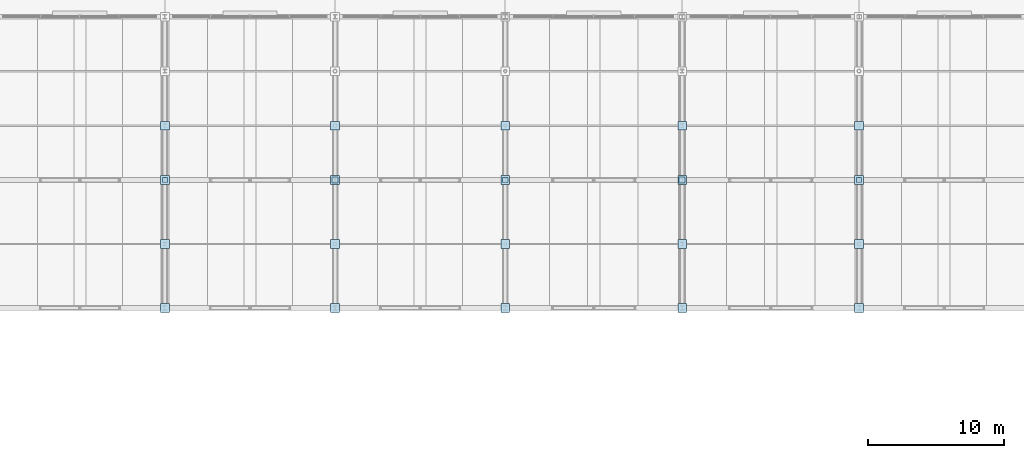
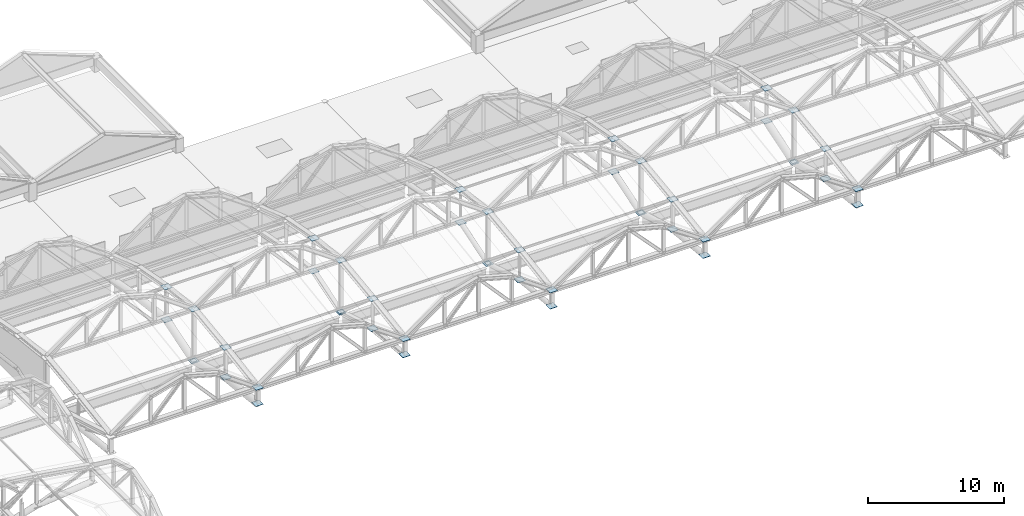
# One storey, part 102 of 117: 45 plates.
"""IFC4 building model written with IfcOpenShell, lengths in metres."""

from ifc_helpers import new_model, si_unit, direction, frame, origin, origin_2d, place, context, subcontext, project, spatial, rectangle, extrude, material, layer, layer_set, type_object, element, save


model = new_model("IFC4")

# Units and contexts
model_context = context("Model", 3, precision=1e-05, world=origin(), true_north=direction((0.0, 1.0)))
body_context = subcontext(model_context, "Body", "Model", "MODEL_VIEW")
ifc_project = project(units=[si_unit("LENGTHUNIT", "METRE"), si_unit("AREAUNIT", "SQUARE_METRE"), si_unit("VOLUMEUNIT", "CUBIC_METRE"), si_unit("PLANEANGLEUNIT", "RADIAN"), si_unit("MASSUNIT", "GRAM", prefix="KILO")], contexts=[model_context])

# Site, building, storey
site_placement = place(None, origin())
site = spatial("IfcSite", under=ifc_project, at=site_placement, CompositionType="ELEMENT")
building_placement = place(site_placement, origin())
building = spatial("IfcBuilding", under=site, at=building_placement, Name="Kazenohara Klinker Stadium", CompositionType="ELEMENT")
storey_placement = place(building_placement, frame((0.0, 0.0, 31.199951171875)))
storey = spatial("IfcBuildingStorey", under=building, at=storey_placement, Name="RF", CompositionType="ELEMENT", Elevation=31.199951171875)

# Plates
ifc_material = material(Name="Steel S355", Category="steel")
ifc_layer_1 = layer(ifc_material, 0.02001953125)
ifc_layer_set_1 = layer_set([ifc_layer_1], Name="Steel S355")
plate_type_1 = type_object("IfcPlateType", Name="PLT-GP01", PredefinedType="USERDEFINED", material=ifc_layer_set_1)
plate_1_placement = place(storey_placement, frame((74.0, 132.0, -0.010009765625), z_axis=(0.0, 0.0, 1.0), x_axis=(1.0, 0.0, 0.0)))
element("IfcPlate", 1, at=plate_1_placement, inside=storey, type_object=plate_type_1, Name="Hollow column end-cap plate GP01 RF 7/M", ObjectType="GUSSET PLATE", PredefinedType="USERDEFINED", context=body_context, shape_type="SweptSolid", body=[
    extrude(rectangle(XDim=0.389892578125, YDim=0.389892578125, at=origin_2d()), origin(), (0.0, 0.0, 1.0), 0.02001953125),
])
plate_2_placement = place(storey_placement, frame((112.0, 132.0, -0.010009765625), z_axis=(0.0, 0.0, 1.0), x_axis=(1.0, 0.0, 0.0)))
element("IfcPlate", 2, at=plate_2_placement, inside=storey, type_object=plate_type_1, Name="Hollow column end-cap plate GP01 RF 10/M", ObjectType="GUSSET PLATE", PredefinedType="USERDEFINED", context=body_context, shape_type="SweptSolid", body=[
    extrude(rectangle(XDim=0.43994140625, YDim=0.43994140625, at=origin_2d()), origin(), (0.0, 0.0, 1.0), 0.02001953125),
])
for number, where, z_axis, x_axis, name in (
    (3, (74.0, 132.0, -0.030029296875), (0.0, 0.0, 1.0), (1.0, 0.0, 0.0), "ROOF TRUSS RT-N02 node gusset plate BN4"),
    (4, (74.0, 132.0, 4.64013671875), (0.0, 0.0, 1.0), (1.0, 0.0, 0.0), "ROOF TRUSS RT-N02 node gusset plate TN4"),
    (5, (86.5, 136.0, 1.239990234375), (0.0, 0.0, 1.0), (1.0, 0.0, 0.0), "ROOF TRUSS RT-N03 node gusset plate BN3"),
    (6, (86.5, 136.0, 4.18994140625), (0.0, 0.0, 1.0), (1.0, 0.0, 0.0), "ROOF TRUSS RT-N03 node gusset plate TN3"),
    (7, (125.0, 122.60009765625, 1.840087890625), (0.0, 0.0, 1.0), (1.0, 0.0, 0.0), "ROOF TRUSS RT-N06 node gusset plate BN6"),
    (8, (125.0, 122.60009765625, 3.2900390625), (0.0, 0.0, 1.0), (1.0, 0.0, 0.0), "ROOF TRUSS RT-N06 node gusset plate TN6"),
):
    element("IfcPlate", number, at=place(storey_placement, frame(where, z_axis=z_axis, x_axis=x_axis)), inside=storey, type_object=plate_type_1, Name=name, ObjectType="GUSSET PLATE", PredefinedType="USERDEFINED", context=body_context, shape_type="SweptSolid", body=[
        extrude(rectangle(XDim=0.639892578125, YDim=0.639892578125, at=origin_2d()), origin(), (0.0, 0.0, 1.0), 0.02001953125),
    ])
ifc_layer_2 = layer(ifc_material, 0.02197265625)
ifc_layer_set_2 = layer_set([ifc_layer_2], Name="Steel S355")
plate_type_2 = type_object("IfcPlateType", Name="PLT-GP02", PredefinedType="USERDEFINED", material=ifc_layer_set_2)
for number, where, z_axis, x_axis, name in (
    (9, (74.0, 127.300048828125, 1.339111328125), (0.0, 0.0, 1.0), (1.0, 0.0, 0.0), "ROOF TRUSS RT-N02 node gusset plate BN5"),
    (10, (74.0, 127.300048828125, 4.0390625), (0.0, 0.0, 1.0), (1.0, 0.0, 0.0), "ROOF TRUSS RT-N02 node gusset plate TN5"),
    (11, (86.5, 132.0, -0.031005859375), (0.0, 0.0, 1.0), (1.0, 0.0, 0.0), "ROOF TRUSS RT-N03 node gusset plate BN4"),
    (12, (86.5, 132.0, 4.63916015625), (0.0, 0.0, 1.0), (1.0, 0.0, 0.0), "ROOF TRUSS RT-N03 node gusset plate TN4"),
    (13, (99.0, 136.0, 1.239013671875), (0.0, 0.0, 1.0), (1.0, 0.0, 0.0), "ROOF TRUSS RT-N04 node gusset plate BN3"),
    (14, (99.0, 136.0, 4.18896484375), (0.0, 0.0, 1.0), (1.0, 0.0, 0.0), "ROOF TRUSS RT-N04 node gusset plate TN3"),
):
    element("IfcPlate", number, at=place(storey_placement, frame(where, z_axis=z_axis, x_axis=x_axis)), inside=storey, type_object=plate_type_2, Name=name, ObjectType="GUSSET PLATE", PredefinedType="USERDEFINED", context=body_context, shape_type="SweptSolid", body=[
        extrude(rectangle(XDim=0.639892578125, YDim=0.639892578125, at=origin_2d()), origin(), (0.0, 0.0, 1.0), 0.02197265625),
    ])
ifc_layer_3 = layer(ifc_material, 0.02392578125)
ifc_layer_set_3 = layer_set([ifc_layer_3], Name="Steel S355")
plate_type_3 = type_object("IfcPlateType", Name="PLT-GP03", PredefinedType="USERDEFINED", material=ifc_layer_set_3)
plate_3_placement = place(storey_placement, frame((86.5, 132.0, -0.011962890625), z_axis=(0.0, 0.0, 1.0), x_axis=(1.0, 0.0, 0.0)))
element("IfcPlate", 15, at=plate_3_placement, inside=storey, type_object=plate_type_3, Name="Hollow column end-cap plate GP03 RF 8/M", ObjectType="GUSSET PLATE", PredefinedType="USERDEFINED", context=body_context, shape_type="SweptSolid", body=[
    extrude(rectangle(XDim=0.43994140625, YDim=0.43994140625, at=origin_2d()), origin(), (0.0, 0.0, 1.0), 0.02392578125),
])
for number, where, z_axis, x_axis, name in (
    (16, (99.0, 132.0, -0.011962890625), (0.0, 0.0, 1.0), (1.0, 0.0, 0.0), "Hollow column end-cap plate GP03 RF 9/M"),
    (17, (125.0, 132.0, -0.011962890625), (0.0, 0.0, 1.0), (1.0, 0.0, 0.0), "Hollow column end-cap plate GP03 RF 11/M"),
):
    element("IfcPlate", number, at=place(storey_placement, frame(where, z_axis=z_axis, x_axis=x_axis)), inside=storey, type_object=plate_type_3, Name=name, ObjectType="GUSSET PLATE", PredefinedType="USERDEFINED", context=body_context, shape_type="SweptSolid", body=[
        extrude(rectangle(XDim=0.389892578125, YDim=0.389892578125, at=origin_2d()), origin(), (0.0, 0.0, 1.0), 0.02392578125),
    ])
for number, where, z_axis, x_axis, name in (
    (18, (74.0, 122.60009765625, 1.838134765625), (0.0, 0.0, 1.0), (1.0, 0.0, 0.0), "ROOF TRUSS RT-N02 node gusset plate BN6"),
    (19, (74.0, 122.60009765625, 3.2880859375), (0.0, 0.0, 1.0), (1.0, 0.0, 0.0), "ROOF TRUSS RT-N02 node gusset plate TN6"),
    (20, (86.5, 127.300048828125, 1.338134765625), (0.0, 0.0, 1.0), (1.0, 0.0, 0.0), "ROOF TRUSS RT-N03 node gusset plate BN5"),
    (21, (86.5, 127.300048828125, 4.0380859375), (0.0, 0.0, 1.0), (1.0, 0.0, 0.0), "ROOF TRUSS RT-N03 node gusset plate TN5"),
    (22, (99.0, 132.0, -0.031982421875), (0.0, 0.0, 1.0), (1.0, 0.0, 0.0), "ROOF TRUSS RT-N04 node gusset plate BN4"),
    (23, (99.0, 132.0, 4.63818359375), (0.0, 0.0, 1.0), (1.0, 0.0, 0.0), "ROOF TRUSS RT-N04 node gusset plate TN4"),
    (24, (112.0, 136.0, 1.238037109375), (0.0, 0.0, 1.0), (1.0, 0.0, 0.0), "ROOF TRUSS RT-N05 node gusset plate BN3"),
    (25, (112.0, 136.0, 4.18798828125), (0.0, 0.0, 1.0), (1.0, 0.0, 0.0), "ROOF TRUSS RT-N05 node gusset plate TN3"),
):
    element("IfcPlate", number, at=place(storey_placement, frame(where, z_axis=z_axis, x_axis=x_axis)), inside=storey, type_object=plate_type_3, Name=name, ObjectType="GUSSET PLATE", PredefinedType="USERDEFINED", context=body_context, shape_type="SweptSolid", body=[
        extrude(rectangle(XDim=0.639892578125, YDim=0.639892578125, at=origin_2d()), origin(), (0.0, 0.0, 1.0), 0.02392578125),
    ])
ifc_layer_4 = layer(ifc_material, 0.02490234375)
ifc_layer_set_4 = layer_set([ifc_layer_4], Name="Steel S355")
plate_type_4 = type_object("IfcPlateType", Name="PLT-GP04", PredefinedType="USERDEFINED", material=ifc_layer_set_4)
for number, where, z_axis, x_axis, name in (
    (26, (86.5, 122.60009765625, 1.837646484375), (0.0, 0.0, 1.0), (1.0, 0.0, 0.0), "ROOF TRUSS RT-N03 node gusset plate BN6"),
    (27, (86.5, 122.60009765625, 3.28759765625), (0.0, 0.0, 1.0), (1.0, 0.0, 0.0), "ROOF TRUSS RT-N03 node gusset plate TN6"),
    (28, (99.0, 127.300048828125, 1.337646484375), (0.0, 0.0, 1.0), (1.0, 0.0, 0.0), "ROOF TRUSS RT-N04 node gusset plate BN5"),
    (29, (99.0, 127.300048828125, 4.03759765625), (0.0, 0.0, 1.0), (1.0, 0.0, 0.0), "ROOF TRUSS RT-N04 node gusset plate TN5"),
    (30, (112.0, 132.0, -0.032470703125), (0.0, 0.0, 1.0), (1.0, 0.0, 0.0), "ROOF TRUSS RT-N05 node gusset plate BN4"),
    (31, (112.0, 132.0, 4.6376953125), (0.0, 0.0, 1.0), (1.0, 0.0, 0.0), "ROOF TRUSS RT-N05 node gusset plate TN4"),
    (32, (125.0, 136.0, 1.237548828125), (0.0, 0.0, 1.0), (1.0, 0.0, 0.0), "ROOF TRUSS RT-N06 node gusset plate BN3"),
    (33, (125.0, 136.0, 4.1875), (0.0, 0.0, 1.0), (1.0, 0.0, 0.0), "ROOF TRUSS RT-N06 node gusset plate TN3"),
):
    element("IfcPlate", number, at=place(storey_placement, frame(where, z_axis=z_axis, x_axis=x_axis)), inside=storey, type_object=plate_type_4, Name=name, ObjectType="GUSSET PLATE", PredefinedType="USERDEFINED", context=body_context, shape_type="SweptSolid", body=[
        extrude(rectangle(XDim=0.639892578125, YDim=0.639892578125, at=origin_2d()), origin(), (0.0, 0.0, 1.0), 0.02490234375),
    ])
ifc_layer_5 = layer(ifc_material, 0.02587890625)
ifc_layer_set_5 = layer_set([ifc_layer_5], Name="Steel S355")
plate_type_5 = type_object("IfcPlateType", Name="PLT-GP05", PredefinedType="USERDEFINED", material=ifc_layer_set_5)
for number, where, z_axis, x_axis, name in (
    (34, (99.0, 122.60009765625, 1.837158203125), (0.0, 0.0, 1.0), (1.0, 0.0, 0.0), "ROOF TRUSS RT-N04 node gusset plate BN6"),
    (35, (99.0, 122.60009765625, 3.287109375), (0.0, 0.0, 1.0), (1.0, 0.0, 0.0), "ROOF TRUSS RT-N04 node gusset plate TN6"),
    (36, (112.0, 127.300048828125, 1.337158203125), (0.0, 0.0, 1.0), (1.0, 0.0, 0.0), "ROOF TRUSS RT-N05 node gusset plate BN5"),
    (37, (112.0, 127.300048828125, 4.037109375), (0.0, 0.0, 1.0), (1.0, 0.0, 0.0), "ROOF TRUSS RT-N05 node gusset plate TN5"),
    (38, (125.0, 132.0, -0.032958984375), (0.0, 0.0, 1.0), (1.0, 0.0, 0.0), "ROOF TRUSS RT-N06 node gusset plate BN4"),
    (39, (125.0, 132.0, 4.63720703125), (0.0, 0.0, 1.0), (1.0, 0.0, 0.0), "ROOF TRUSS RT-N06 node gusset plate TN4"),
):
    element("IfcPlate", number, at=place(storey_placement, frame(where, z_axis=z_axis, x_axis=x_axis)), inside=storey, type_object=plate_type_5, Name=name, ObjectType="GUSSET PLATE", PredefinedType="USERDEFINED", context=body_context, shape_type="SweptSolid", body=[
        extrude(rectangle(XDim=0.639892578125, YDim=0.639892578125, at=origin_2d()), origin(), (0.0, 0.0, 1.0), 0.02587890625),
    ])
ifc_layer_6 = layer(ifc_material, 0.028076171875)
ifc_layer_set_6 = layer_set([ifc_layer_6], Name="Steel S355")
plate_type_6 = type_object("IfcPlateType", Name="PLT-GP06", PredefinedType="USERDEFINED", material=ifc_layer_set_6)
for number, where, z_axis, x_axis, name in (
    (40, (74.0, 136.0, 1.23583984375), (0.0, 0.0, 1.0), (1.0, 0.0, 0.0), "ROOF TRUSS RT-N02 node gusset plate BN3"),
    (41, (74.0, 136.0, 4.18603515625), (0.0, 0.0, 1.0), (1.0, 0.0, 0.0), "ROOF TRUSS RT-N02 node gusset plate TN3"),
    (42, (112.0, 122.60009765625, 1.8359375), (0.0, 0.0, 1.0), (1.0, 0.0, 0.0), "ROOF TRUSS RT-N05 node gusset plate BN6"),
    (43, (112.0, 122.60009765625, 3.2861328125), (0.0, 0.0, 1.0), (1.0, 0.0, 0.0), "ROOF TRUSS RT-N05 node gusset plate TN6"),
    (44, (125.0, 127.300048828125, 1.3359375), (0.0, 0.0, 1.0), (1.0, 0.0, 0.0), "ROOF TRUSS RT-N06 node gusset plate BN5"),
    (45, (125.0, 127.300048828125, 4.0361328125), (0.0, 0.0, 1.0), (1.0, 0.0, 0.0), "ROOF TRUSS RT-N06 node gusset plate TN5"),
):
    element("IfcPlate", number, at=place(storey_placement, frame(where, z_axis=z_axis, x_axis=x_axis)), inside=storey, type_object=plate_type_6, Name=name, ObjectType="GUSSET PLATE", PredefinedType="USERDEFINED", context=body_context, shape_type="SweptSolid", body=[
        extrude(rectangle(XDim=0.639892578125, YDim=0.639892578125, at=origin_2d()), origin(), (0.0, 0.0, 1.0), 0.028076171875),
    ])

save(model, "model.ifc")
